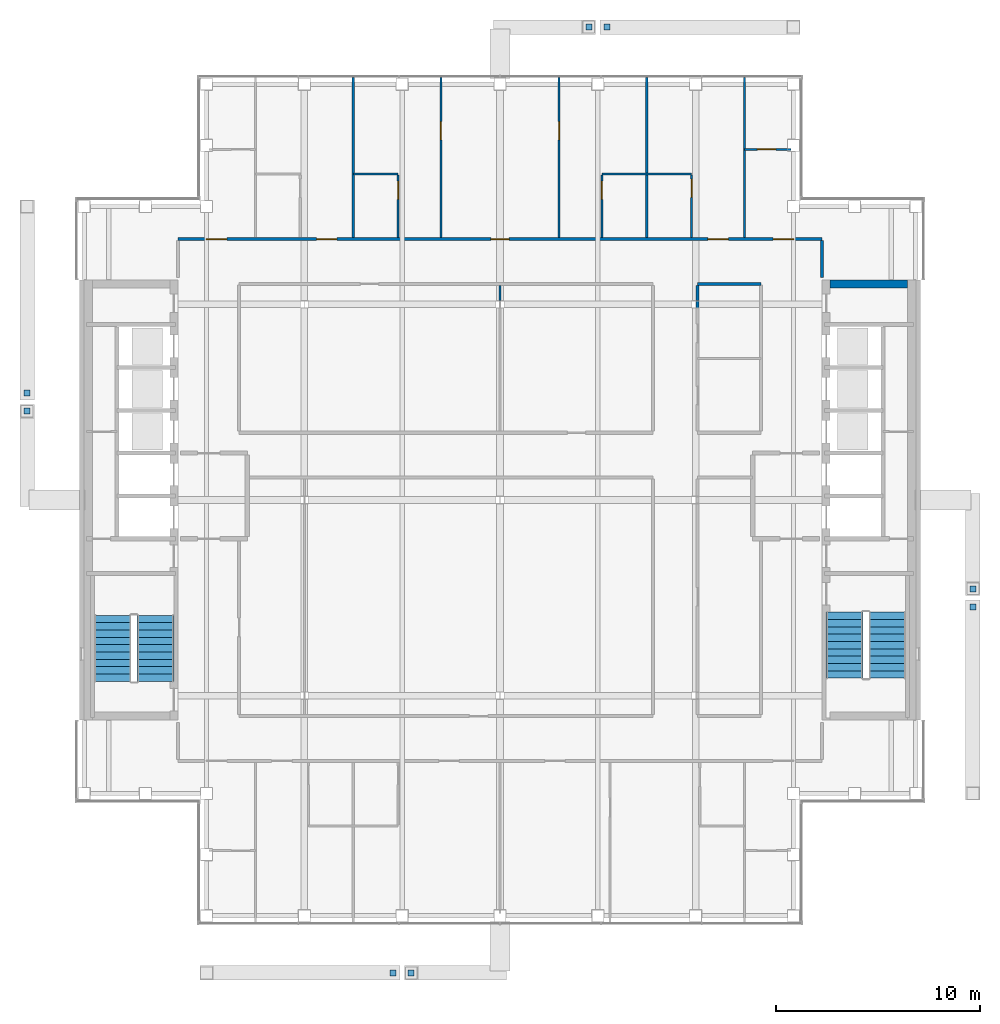
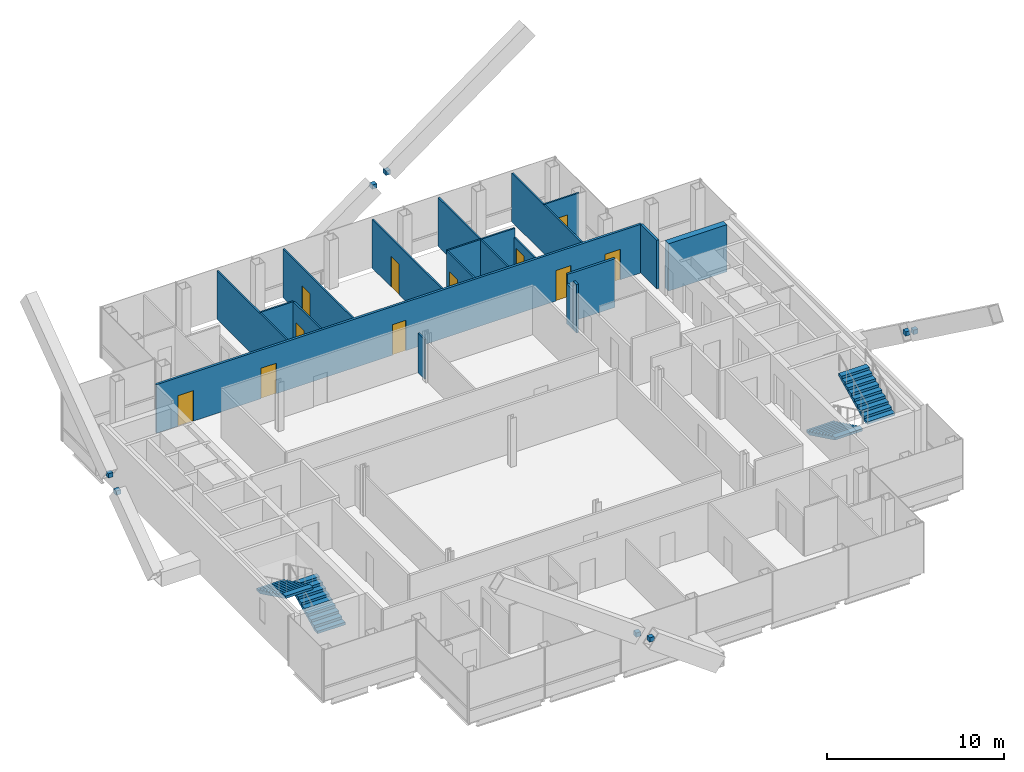
# One storey, part 13 of 15: 19 walls, 11 doors, 8 discrete accessories, 4 stair flights, 11 openings, 2 elements without a shape of their own.
"""IFC4 building model written with IfcOpenShell, lengths in metres."""

from ifc_helpers import new_model, si_unit, direction, frame, frame_2d, origin, origin_2d, place, context, subcontext, project, spatial, polyline, rectangle, outline, extrude, material, layer, layer_set, type_object, element, fill, aggregate, save


model = new_model("IFC4")

# Units and contexts
model_context = context("Model", 3, precision=1e-05, world=origin(), true_north=direction((0.0, 1.0)))
body_context = subcontext(model_context, "Body", "Model", "MODEL_VIEW")
ifc_project = project(units=[si_unit("LENGTHUNIT", "METRE"), si_unit("AREAUNIT", "SQUARE_METRE"), si_unit("VOLUMEUNIT", "CUBIC_METRE"), si_unit("PLANEANGLEUNIT", "RADIAN"), si_unit("MASSUNIT", "GRAM", prefix="KILO")], contexts=[model_context])

# Site, building, storey
site_placement = place(None, origin())
site = spatial("IfcSite", under=ifc_project, at=site_placement, CompositionType="ELEMENT")
building_placement = place(site_placement, origin())
building = spatial("IfcBuilding", under=site, at=building_placement, Name="Cobrizo Arcos Hotel Tower", CompositionType="ELEMENT")
storey_placement = place(building_placement, frame((0.0, 0.0, 244.5)))
storey = spatial("IfcBuildingStorey", under=building, at=storey_placement, Name="L64", CompositionType="ELEMENT", Elevation=244.5)

# Wall
ifc_material_1 = material(Name="Gypsum board partition")
ifc_layer_1 = layer(ifc_material_1, 0.14990234375)
ifc_layer_set_1 = layer_set([ifc_layer_1], Name="Corridor wall EI 60 150")
wall_type_1 = type_object("IfcWallType", Name="Corridor wall EI 60 150", PredefinedType="PARTITIONING", material=ifc_layer_set_1)
wall_1_placement = place(storey_placement, frame((9.699951171875, 10.60009765625, 0.0), z_axis=(0.0, 0.0, 1.0), x_axis=(1.0, 0.0, 0.0)))
element("IfcWall", 1, at=wall_1_placement, inside=storey, type_object=wall_type_1, Name="Partition 034", PredefinedType="PARTITIONING", context=body_context, shape_type="SweptSolid", body=[
    extrude(rectangle(XDim=3.10009765625, YDim=0.14990234375, at=frame_2d((1.550048828125, 0.0))), origin(), (0.0, 0.0, 1.0), 3.35009765625),
])

# Wall, openings, doors
wall_2_placement = place(storey_placement, frame((-15.800048828125, 12.800048828125, 0.0), z_axis=(0.0, 0.0, 1.0), x_axis=(1.0, 0.0, 0.0)))
wall_2 = element("IfcWall", 2, at=wall_2_placement, inside=storey, type_object=wall_type_1, Name="Partition 035", PredefinedType="PARTITIONING", context=body_context, shape_type="SweptSolid", body=[
    extrude(rectangle(XDim=31.60009765625, YDim=0.14990234375, at=frame_2d((15.800048828125, 0.0))), origin(), (0.0, 0.0, 1.0), 3.35009765625),
])
opening_1_placement = place(wall_2_placement, frame((6.800048828125, 0.0, 0.0)))
opening_1 = element("IfcOpeningElement", 3, at=opening_1_placement, cuts=wall_2, Name="Opening GD-01", PredefinedType="OPENING", context=body_context, shape_type="SweptSolid", body=[
    extrude(rectangle(XDim=1.0, YDim=2.10009765625, at=frame_2d((0.5, 1.050048828125))), frame((0.0, 0.0869140625, 0.0), z_axis=(0.0, -1.0, 0.0), x_axis=(1.0, 0.0, 0.0)), (0.0, 0.0, 1.0), 0.173828125),
])
opening_2_placement = place(wall_2_placement, frame((15.35009765625, 0.0, 0.0)))
opening_2 = element("IfcOpeningElement", 4, at=opening_2_placement, cuts=wall_2, Name="Opening RD-07", PredefinedType="OPENING", context=body_context, shape_type="SweptSolid", body=[
    extrude(rectangle(XDim=0.89990234375, YDim=2.10009765625, at=frame_2d((0.449951171875, 1.050048828125))), frame((0.0, 0.0869140625, 0.0), z_axis=(0.0, -1.0, 0.0), x_axis=(1.0, 0.0, 0.0)), (0.0, 0.0, 1.0), 0.173828125),
])
opening_3_placement = place(wall_2_placement, frame((26.0, 0.0, 0.0)))
opening_3 = element("IfcOpeningElement", 5, at=opening_3_placement, cuts=wall_2, Name="Opening GD-02", PredefinedType="OPENING", context=body_context, shape_type="SweptSolid", body=[
    extrude(rectangle(XDim=1.0, YDim=2.10009765625, at=frame_2d((0.5, 1.050048828125))), frame((0.0, 0.0869140625, 0.0), z_axis=(0.0, -1.0, 0.0), x_axis=(1.0, 0.0, 0.0)), (0.0, 0.0, 1.0), 0.173828125),
])
opening_4_placement = place(wall_2_placement, frame((1.39990234375, 0.0, 0.0)))
opening_4 = element("IfcOpeningElement", 6, at=opening_4_placement, cuts=wall_2, Name="Opening GD-07", PredefinedType="OPENING", context=body_context, shape_type="SweptSolid", body=[
    extrude(rectangle(XDim=1.0, YDim=2.10009765625, at=frame_2d((0.5, 1.050048828125))), frame((0.0, 0.0869140625, 0.0), z_axis=(0.0, -1.0, 0.0), x_axis=(1.0, 0.0, 0.0)), (0.0, 0.0, 1.0), 0.173828125),
])
opening_5_placement = place(wall_2_placement, frame((29.199951171875, 0.0, 0.0)))
opening_5 = element("IfcOpeningElement", 7, at=opening_5_placement, cuts=wall_2, Name="Opening GD-09", PredefinedType="OPENING", context=body_context, shape_type="SweptSolid", body=[
    extrude(rectangle(XDim=1.0, YDim=2.10009765625, at=frame_2d((0.5, 1.050048828125))), frame((0.0, 0.0869140625, 0.0), z_axis=(0.0, -1.0, 0.0), x_axis=(1.0, 0.0, 0.0)), (0.0, 0.0, 1.0), 0.173828125),
])
ifc_material_2 = material(Name="Timber door leaf", Category="wood")
door_type_1 = type_object("IfcDoorType", Name="Guest room door FD30S 1000x2100", OperationType="SINGLE_SWING_LEFT", PredefinedType="DOOR", material=ifc_material_2)
door_1_placement = place(opening_1_placement, origin())
door_1 = element("IfcDoor", 8, at=door_1_placement, inside=storey, type_object=door_type_1, Name="Door GD-01", OperationType="SINGLE_SWING_LEFT", OverallHeight=2.10009765625, OverallWidth=1.0, PredefinedType="DOOR", context=body_context, shape_type="SweptSolid", body=[
    extrude(rectangle(XDim=1.0, YDim=2.10009765625, at=frame_2d((0.5, 1.050048828125))), frame((0.0, 0.02490234375, 0.0), z_axis=(0.0, -1.0, 0.0), x_axis=(1.0, 0.0, 0.0)), (0.0, 0.0, 1.0), 0.050048828125),
])
fill(opening_1, door_1)
door_2_placement = place(opening_3_placement, origin())
door_2 = element("IfcDoor", 9, at=door_2_placement, inside=storey, type_object=door_type_1, Name="Door GD-02", OperationType="SINGLE_SWING_LEFT", OverallHeight=2.10009765625, OverallWidth=1.0, PredefinedType="DOOR", context=body_context, shape_type="SweptSolid", body=[
    extrude(rectangle(XDim=1.0, YDim=2.10009765625, at=frame_2d((0.5, 1.050048828125))), frame((0.0, 0.02490234375, 0.0), z_axis=(0.0, -1.0, 0.0), x_axis=(1.0, 0.0, 0.0)), (0.0, 0.0, 1.0), 0.050048828125),
])
fill(opening_3, door_2)
door_3_placement = place(opening_4_placement, origin())
door_3 = element("IfcDoor", 10, at=door_3_placement, inside=storey, type_object=door_type_1, Name="Door GD-07", OperationType="SINGLE_SWING_RIGHT", OverallHeight=2.10009765625, OverallWidth=1.0, PredefinedType="DOOR", context=body_context, shape_type="SweptSolid", body=[
    extrude(rectangle(XDim=1.0, YDim=2.10009765625, at=frame_2d((0.5, 1.050048828125))), frame((0.0, 0.02490234375, 0.0), z_axis=(0.0, -1.0, 0.0), x_axis=(1.0, 0.0, 0.0)), (0.0, 0.0, 1.0), 0.050048828125),
])
fill(opening_4, door_3)
door_4_placement = place(opening_5_placement, origin())
door_4 = element("IfcDoor", 11, at=door_4_placement, inside=storey, type_object=door_type_1, Name="Door GD-09", OperationType="SINGLE_SWING_LEFT", OverallHeight=2.10009765625, OverallWidth=1.0, PredefinedType="DOOR", context=body_context, shape_type="SweptSolid", body=[
    extrude(rectangle(XDim=1.0, YDim=2.10009765625, at=frame_2d((0.5, 1.050048828125))), frame((0.0, 0.02490234375, 0.0), z_axis=(0.0, -1.0, 0.0), x_axis=(1.0, 0.0, 0.0)), (0.0, 0.0, 1.0), 0.050048828125),
])
fill(opening_5, door_4)
door_type_2 = type_object("IfcDoorType", Name="Room door FD30 900x2100", OperationType="SINGLE_SWING_LEFT", PredefinedType="DOOR", material=ifc_material_2)
door_5_placement = place(opening_2_placement, origin())
door_5 = element("IfcDoor", 12, at=door_5_placement, inside=storey, type_object=door_type_2, Name="Door RD-07", OperationType="SINGLE_SWING_RIGHT", OverallHeight=2.10009765625, OverallWidth=0.89990234375, PredefinedType="DOOR", context=body_context, shape_type="SweptSolid", body=[
    extrude(rectangle(XDim=0.89990234375, YDim=2.10009765625, at=frame_2d((0.449951171875, 1.050048828125))), frame((0.0, 0.02490234375, 0.0), z_axis=(0.0, -1.0, 0.0), x_axis=(1.0, 0.0, 0.0)), (0.0, 0.0, 1.0), 0.050048828125),
])
fill(opening_2, door_5)

# Walls
wall_3_placement = place(storey_placement, frame((9.699951171875, 9.416015625, 0.0), z_axis=(0.0, 0.0, 1.0), x_axis=(0.0, 1.0, 0.0)))
element("IfcWall", 13, at=wall_3_placement, inside=storey, type_object=wall_type_1, Name="Partition 081", PredefinedType="PARTITIONING", context=body_context, shape_type="SweptSolid", body=[
    extrude(rectangle(XDim=0.367919921875, YDim=0.14990234375, at=frame_2d((0.18408203125, 0.0))), origin(), (0.0, 0.0, 1.0), 3.35009765625),
])
wall_4_placement = place(storey_placement, frame((9.699951171875, 9.783935546875, 0.0), z_axis=(0.0, 0.0, 1.0), x_axis=(0.0, 1.0, 0.0)))
element("IfcWall", 14, at=wall_4_placement, inside=storey, type_object=wall_type_1, Name="Partition 082", PredefinedType="PARTITIONING", context=body_context, shape_type="SweptSolid", body=[
    extrude(rectangle(XDim=0.740966796875, YDim=0.14990234375, at=frame_2d((0.37060546875, 0.0))), origin(), (0.0, 0.0, 1.0), 2.72802734375),
])
wall_5_placement = place(storey_placement, frame((15.800048828125, 10.919921875, 0.0), z_axis=(0.0, 0.0, 1.0), x_axis=(0.0, 1.0, 0.0)))
element("IfcWall", 15, at=wall_5_placement, inside=storey, type_object=wall_type_1, Name="Partition 090", PredefinedType="PARTITIONING", context=body_context, shape_type="SweptSolid", body=[
    extrude(rectangle(XDim=1.80517578125, YDim=0.14990234375, at=frame_2d((0.902587890625, 0.0))), origin(), (0.0, 0.0, 1.0), 3.35009765625),
])
ifc_layer_2 = layer(ifc_material_1, 0.10009765625)
ifc_layer_set_2 = layer_set([ifc_layer_2], Name="Partition EI 30 100")
wall_type_2 = type_object("IfcWallType", Name="Partition EI 30 100", PredefinedType="PARTITIONING", material=ifc_layer_set_2)
wall_6_placement = place(storey_placement, frame((-7.199951171875, 16.0, 0.0), z_axis=(0.0, 0.0, 1.0), x_axis=(1.0, 0.0, 0.0)))
element("IfcWall", 16, at=wall_6_placement, inside=storey, type_object=wall_type_2, Name="Partition 037", PredefinedType="PARTITIONING", context=body_context, shape_type="SweptSolid", body=[
    extrude(rectangle(XDim=2.199951171875, YDim=0.10009765625, at=frame_2d((1.10009765625, 0.0))), origin(), (0.0, 0.0, 1.0), 3.35009765625),
])
wall_7_placement = place(storey_placement, frame((5.0, 16.0, 0.0), z_axis=(0.0, 0.0, 1.0), x_axis=(1.0, 0.0, 0.0)))
element("IfcWall", 17, at=wall_7_placement, inside=storey, type_object=wall_type_2, Name="Partition 038", PredefinedType="PARTITIONING", context=body_context, shape_type="SweptSolid", body=[
    extrude(rectangle(XDim=4.39990234375, YDim=0.10009765625, at=frame_2d((2.199951171875, 0.0))), origin(), (0.0, 0.0, 1.0), 3.35009765625),
])

# Wall, opening, door
wall_8_placement = place(storey_placement, frame((12.0, 17.199951171875, 0.0), z_axis=(0.0, 0.0, 1.0), x_axis=(1.0, 0.0, 0.0)))
wall_8 = element("IfcWall", 18, at=wall_8_placement, inside=storey, type_object=wall_type_2, Name="Partition 040", PredefinedType="PARTITIONING", context=body_context, shape_type="SweptSolid", body=[
    extrude(rectangle(XDim=2.280029296875, YDim=0.10009765625, at=frame_2d((1.14013671875, 0.0))), origin(), (0.0, 0.0, 1.0), 3.35009765625),
])
opening_6_placement = place(wall_8_placement, frame((0.6298828125, 0.0, 0.0)))
opening_6 = element("IfcOpeningElement", 19, at=opening_6_placement, cuts=wall_8, Name="Opening ED-11", PredefinedType="OPENING", context=body_context, shape_type="SweptSolid", body=[
    extrude(rectangle(XDim=0.89990234375, YDim=2.10009765625, at=frame_2d((0.449951171875, 1.050048828125))), frame((0.0, 0.06201171875, 0.0), z_axis=(0.0, -1.0, 0.0), x_axis=(1.0, 0.0, 0.0)), (0.0, 0.0, 1.0), 0.1240234375),
])
door_type_3 = type_object("IfcDoorType", Name="En-suite door 900x2100", OperationType="SINGLE_SWING_LEFT", PredefinedType="DOOR", material=ifc_material_2)
door_6_placement = place(opening_6_placement, origin())
door_6 = element("IfcDoor", 20, at=door_6_placement, inside=storey, type_object=door_type_3, Name="Door ED-11", OperationType="SINGLE_SWING_LEFT", OverallHeight=2.10009765625, OverallWidth=0.89990234375, PredefinedType="DOOR", context=body_context, shape_type="SweptSolid", body=[
    extrude(rectangle(XDim=0.89990234375, YDim=2.10009765625, at=frame_2d((0.449951171875, 1.050048828125))), frame((0.0, 0.02490234375, 0.0), z_axis=(0.0, -1.0, 0.0), x_axis=(1.0, 0.0, 0.0)), (0.0, 0.0, 1.0), 0.050048828125),
])
fill(opening_6, door_6)

# Wall
wall_9_placement = place(storey_placement, frame((-7.199951171875, 12.875, 0.0), z_axis=(0.0, 0.0, 1.0), x_axis=(0.0, 1.0, 0.0)))
element("IfcWall", 21, at=wall_9_placement, inside=storey, type_object=wall_type_2, Name="Partition 059", PredefinedType="PARTITIONING", context=body_context, shape_type="SweptSolid", body=[
    extrude(rectangle(XDim=7.85498046875, YDim=0.10009765625, at=frame_2d((3.927490234375, 0.0))), origin(), (0.0, 0.0, 1.0), 3.35009765625),
])

# Wall, opening, door
wall_10_placement = place(storey_placement, frame((-5.0, 12.875, 0.0), z_axis=(0.0, 0.0, 1.0), x_axis=(0.0, 1.0, 0.0)))
wall_10 = element("IfcWall", 22, at=wall_10_placement, inside=storey, type_object=wall_type_2, Name="Partition 061", PredefinedType="PARTITIONING", context=body_context, shape_type="SweptSolid", body=[
    extrude(rectangle(XDim=3.074951171875, YDim=0.10009765625, at=frame_2d((1.53759765625, 0.0))), origin(), (0.0, 0.0, 1.0), 3.35009765625),
])
opening_7_placement = place(wall_10_placement, frame((1.875, 0.0, 0.0)))
opening_7 = element("IfcOpeningElement", 23, at=opening_7_placement, cuts=wall_10, Name="Opening ED-02", PredefinedType="OPENING", context=body_context, shape_type="SweptSolid", body=[
    extrude(rectangle(XDim=0.89990234375, YDim=2.10009765625, at=frame_2d((0.449951171875, 1.050048828125))), frame((0.0, 0.06201171875, 0.0), z_axis=(0.0, -1.0, 0.0), x_axis=(1.0, 0.0, 0.0)), (0.0, 0.0, 1.0), 0.1240234375),
])
door_7_placement = place(opening_7_placement, origin())
door_7 = element("IfcDoor", 24, at=door_7_placement, inside=storey, type_object=door_type_3, Name="Door ED-02", OperationType="SINGLE_SWING_RIGHT", OverallHeight=2.10009765625, OverallWidth=0.89990234375, PredefinedType="DOOR", context=body_context, shape_type="SweptSolid", body=[
    extrude(rectangle(XDim=0.89990234375, YDim=2.10009765625, at=frame_2d((0.449951171875, 1.050048828125))), frame((0.0, 0.02490234375, 0.0), z_axis=(0.0, -1.0, 0.0), x_axis=(1.0, 0.0, 0.0)), (0.0, 0.0, 1.0), 0.050048828125),
])
fill(opening_7, door_7)

wall_11_placement = place(storey_placement, frame((-2.89990234375, 12.875, 0.0), z_axis=(0.0, 0.0, 1.0), x_axis=(0.0, 1.0, 0.0)))
wall_11 = element("IfcWall", 25, at=wall_11_placement, inside=storey, type_object=wall_type_2, Name="Partition 062", PredefinedType="PARTITIONING", context=body_context, shape_type="SweptSolid", body=[
    extrude(rectangle(XDim=7.85498046875, YDim=0.10009765625, at=frame_2d((3.927490234375, 0.0))), origin(), (0.0, 0.0, 1.0), 3.35009765625),
])
opening_8_placement = place(wall_11_placement, frame((4.794921875, 0.0, 0.0)))
opening_8 = element("IfcOpeningElement", 26, at=opening_8_placement, cuts=wall_11, Name="Opening RD-08", PredefinedType="OPENING", context=body_context, shape_type="SweptSolid", body=[
    extrude(rectangle(XDim=0.89990234375, YDim=2.10009765625, at=frame_2d((0.449951171875, 1.050048828125))), frame((0.0, 0.06201171875, 0.0), z_axis=(0.0, -1.0, 0.0), x_axis=(1.0, 0.0, 0.0)), (0.0, 0.0, 1.0), 0.1240234375),
])
door_8_placement = place(opening_8_placement, origin())
door_8 = element("IfcDoor", 27, at=door_8_placement, inside=storey, type_object=door_type_2, Name="Door RD-08", OperationType="SINGLE_SWING_LEFT", OverallHeight=2.10009765625, OverallWidth=0.89990234375, PredefinedType="DOOR", context=body_context, shape_type="SweptSolid", body=[
    extrude(rectangle(XDim=0.89990234375, YDim=2.10009765625, at=frame_2d((0.449951171875, 1.050048828125))), frame((0.0, 0.02490234375, 0.0), z_axis=(0.0, -1.0, 0.0), x_axis=(1.0, 0.0, 0.0)), (0.0, 0.0, 1.0), 0.050048828125),
])
fill(opening_8, door_8)

# Wall
wall_12_placement = place(storey_placement, frame((0.0, 9.783935546875, 0.0), z_axis=(0.0, 0.0, 1.0), x_axis=(0.0, 1.0, 0.0)))
element("IfcWall", 28, at=wall_12_placement, inside=storey, type_object=wall_type_2, Name="Partition 066", PredefinedType="PARTITIONING", context=body_context, shape_type="SweptSolid", body=[
    extrude(rectangle(XDim=0.740966796875, YDim=0.10009765625, at=frame_2d((0.37060546875, 0.0))), origin(), (0.0, 0.0, 1.0), 2.72802734375),
])

# Wall, opening, door
wall_13_placement = place(storey_placement, frame((2.89990234375, 12.875, 0.0), z_axis=(0.0, 0.0, 1.0), x_axis=(0.0, 1.0, 0.0)))
wall_13 = element("IfcWall", 29, at=wall_13_placement, inside=storey, type_object=wall_type_2, Name="Partition 067", PredefinedType="PARTITIONING", context=body_context, shape_type="SweptSolid", body=[
    extrude(rectangle(XDim=7.85498046875, YDim=0.10009765625, at=frame_2d((3.927490234375, 0.0))), origin(), (0.0, 0.0, 1.0), 3.35009765625),
])
opening_9_placement = place(wall_13_placement, frame((4.794921875, 0.0, 0.0)))
opening_9 = element("IfcOpeningElement", 30, at=opening_9_placement, cuts=wall_13, Name="Opening RD-09", PredefinedType="OPENING", context=body_context, shape_type="SweptSolid", body=[
    extrude(rectangle(XDim=0.89990234375, YDim=2.10009765625, at=frame_2d((0.449951171875, 1.050048828125))), frame((0.0, 0.06201171875, 0.0), z_axis=(0.0, -1.0, 0.0), x_axis=(1.0, 0.0, 0.0)), (0.0, 0.0, 1.0), 0.1240234375),
])
door_9_placement = place(opening_9_placement, origin())
door_9 = element("IfcDoor", 31, at=door_9_placement, inside=storey, type_object=door_type_2, Name="Door RD-09", OperationType="SINGLE_SWING_LEFT", OverallHeight=2.10009765625, OverallWidth=0.89990234375, PredefinedType="DOOR", context=body_context, shape_type="SweptSolid", body=[
    extrude(rectangle(XDim=0.89990234375, YDim=2.10009765625, at=frame_2d((0.449951171875, 1.050048828125))), frame((0.0, 0.02490234375, 0.0), z_axis=(0.0, -1.0, 0.0), x_axis=(1.0, 0.0, 0.0)), (0.0, 0.0, 1.0), 0.050048828125),
])
fill(opening_9, door_9)

wall_14_placement = place(storey_placement, frame((5.0, 12.875, 0.0), z_axis=(0.0, 0.0, 1.0), x_axis=(0.0, 1.0, 0.0)))
wall_14 = element("IfcWall", 32, at=wall_14_placement, inside=storey, type_object=wall_type_2, Name="Partition 068", PredefinedType="PARTITIONING", context=body_context, shape_type="SweptSolid", body=[
    extrude(rectangle(XDim=3.074951171875, YDim=0.10009765625, at=frame_2d((1.53759765625, 0.0))), origin(), (0.0, 0.0, 1.0), 3.35009765625),
])
opening_10_placement = place(wall_14_placement, frame((1.875, 0.0, 0.0)))
opening_10 = element("IfcOpeningElement", 33, at=opening_10_placement, cuts=wall_14, Name="Opening ED-03", PredefinedType="OPENING", context=body_context, shape_type="SweptSolid", body=[
    extrude(rectangle(XDim=0.89990234375, YDim=2.10009765625, at=frame_2d((0.449951171875, 1.050048828125))), frame((0.0, 0.06201171875, 0.0), z_axis=(0.0, -1.0, 0.0), x_axis=(1.0, 0.0, 0.0)), (0.0, 0.0, 1.0), 0.1240234375),
])
door_10_placement = place(opening_10_placement, origin())
door_10 = element("IfcDoor", 34, at=door_10_placement, inside=storey, type_object=door_type_3, Name="Door ED-03", OperationType="SINGLE_SWING_RIGHT", OverallHeight=2.10009765625, OverallWidth=0.89990234375, PredefinedType="DOOR", context=body_context, shape_type="SweptSolid", body=[
    extrude(rectangle(XDim=0.89990234375, YDim=2.10009765625, at=frame_2d((0.449951171875, 1.050048828125))), frame((0.0, 0.02490234375, 0.0), z_axis=(0.0, -1.0, 0.0), x_axis=(1.0, 0.0, 0.0)), (0.0, 0.0, 1.0), 0.050048828125),
])
fill(opening_10, door_10)

# Walls
wall_15_placement = place(storey_placement, frame((7.199951171875, 12.875, 0.0), z_axis=(0.0, 0.0, 1.0), x_axis=(0.0, 1.0, 0.0)))
element("IfcWall", 35, at=wall_15_placement, inside=storey, type_object=wall_type_2, Name="Partition 070", PredefinedType="PARTITIONING", context=body_context, shape_type="SweptSolid", body=[
    extrude(rectangle(XDim=3.074951171875, YDim=0.10009765625, at=frame_2d((1.53759765625, 0.0))), origin(), (0.0, 0.0, 1.0), 3.35009765625),
])
wall_16_placement = place(storey_placement, frame((7.199951171875, 16.050048828125, 0.0), z_axis=(0.0, 0.0, 1.0), x_axis=(0.0, 1.0, 0.0)))
element("IfcWall", 36, at=wall_16_placement, inside=storey, type_object=wall_type_2, Name="Partition 071", PredefinedType="PARTITIONING", context=body_context, shape_type="SweptSolid", body=[
    extrude(rectangle(XDim=4.679931640625, YDim=0.10009765625, at=frame_2d((2.33984375, 0.0))), origin(), (0.0, 0.0, 1.0), 3.35009765625),
])

# Wall, opening, door
wall_17_placement = place(storey_placement, frame((9.39990234375, 12.875, 0.0), z_axis=(0.0, 0.0, 1.0), x_axis=(0.0, 1.0, 0.0)))
wall_17 = element("IfcWall", 37, at=wall_17_placement, inside=storey, type_object=wall_type_2, Name="Partition 074", PredefinedType="PARTITIONING", context=body_context, shape_type="SweptSolid", body=[
    extrude(rectangle(XDim=3.074951171875, YDim=0.10009765625, at=frame_2d((1.53759765625, 0.0))), origin(), (0.0, 0.0, 1.0), 2.72802734375),
])
opening_11_placement = place(wall_17_placement, frame((1.970947265625, 0.0, 0.0)))
opening_11 = element("IfcOpeningElement", 38, at=opening_11_placement, cuts=wall_17, Name="Opening ED-04", PredefinedType="OPENING", context=body_context, shape_type="SweptSolid", body=[
    extrude(rectangle(XDim=0.89990234375, YDim=2.10009765625, at=frame_2d((0.449951171875, 1.050048828125))), frame((0.0, 0.06201171875, 0.0), z_axis=(0.0, -1.0, 0.0), x_axis=(1.0, 0.0, 0.0)), (0.0, 0.0, 1.0), 0.1240234375),
])
door_11_placement = place(opening_11_placement, origin())
door_11 = element("IfcDoor", 39, at=door_11_placement, inside=storey, type_object=door_type_3, Name="Door ED-04", OperationType="SINGLE_SWING_LEFT", OverallHeight=2.10009765625, OverallWidth=0.89990234375, PredefinedType="DOOR", context=body_context, shape_type="SweptSolid", body=[
    extrude(rectangle(XDim=0.89990234375, YDim=2.10009765625, at=frame_2d((0.449951171875, 1.050048828125))), frame((0.0, 0.02490234375, 0.0), z_axis=(0.0, -1.0, 0.0), x_axis=(1.0, 0.0, 0.0)), (0.0, 0.0, 1.0), 0.050048828125),
])
fill(opening_11, door_11)

# Walls
wall_18_placement = place(storey_placement, frame((12.0, 12.875, 0.0), z_axis=(0.0, 0.0, 1.0), x_axis=(0.0, 1.0, 0.0)))
element("IfcWall", 40, at=wall_18_placement, inside=storey, type_object=wall_type_2, Name="Partition 085", PredefinedType="PARTITIONING", context=body_context, shape_type="SweptSolid", body=[
    extrude(rectangle(XDim=7.85498046875, YDim=0.10009765625, at=frame_2d((3.927490234375, 0.0))), origin(), (0.0, 0.0, 1.0), 3.35009765625),
])
ifc_material_3 = material(Name="Concrete f'c 40 MPa", Category="concrete")
ifc_layer_3 = layer(ifc_material_3, 0.39990234375)
ifc_layer_set_3 = layer_set([ifc_layer_3], Name="RC core wall 400 f'c 40")
wall_type_3 = type_object("IfcWallType", Name="RC core wall 400 f'c 40", PredefinedType="SHEAR", material=ifc_layer_set_3)
wall_19_placement = place(storey_placement, frame((16.199951171875, 10.60009765625, 0.0), z_axis=(0.0, 0.0, 1.0), x_axis=(1.0, 0.0, 0.0)))
element("IfcWall", 41, at=wall_19_placement, inside=storey, type_object=wall_type_3, Name="Core wall CW4, east core, north end, L64", PredefinedType="SHEAR", context=body_context, shape_type="SweptSolid", body=[
    extrude(rectangle(XDim=3.800048828125, YDim=0.39990234375, at=frame_2d((1.89990234375, 0.0))), origin(), (0.0, 0.0, 1.0), 3.25),
])

# Stair, stair flights
stair_type = type_object("IfcStairType", Name="Exit stair", PredefinedType="HALF_TURN_STAIR", material=ifc_material_3)
stair_1_placement = place(storey_placement, origin())
stair_1 = element("IfcStair", 42, at=stair_1_placement, inside=storey, type_object=stair_type, Name="L64 Exit stair ST-W", PredefinedType="HALF_TURN_STAIR")
stair_flight_type = type_object("IfcStairFlightType", Name="Exit stair flight", PredefinedType="STRAIGHT", material=ifc_material_3)
stair_flight_1_placement = place(storey_placement, frame((-16.89990234375, -8.89990234375, 0.0), z_axis=(0.0, 0.0, 1.0), x_axis=(0.0, 1.0, 0.0)))
stair_flight_1 = element("IfcStairFlight", 43, at=stair_flight_1_placement, type_object=stair_flight_type, Name="ST-W flight 1", NumberOfRisers=10, NumberOfTreads=9, PredefinedType="STRAIGHT", RiserHeight=0.175, TreadLength=0.36, context=body_context, shape_type="SweptSolid", body=[
    extrude(outline(polyline([(0.0, 0.0), (0.0, 0.175048828125), (0.360107421875, 0.175048828125), (0.360107421875, 0.35009765625), (0.719970703125, 0.35009765625), (0.719970703125, 0.52490234375), (1.080078125, 0.52490234375), (1.080078125, 0.699951171875), (1.43994140625, 0.699951171875), (1.43994140625, 0.875), (1.800048828125, 0.875), (1.800048828125, 1.050048828125), (2.159912109375, 1.050048828125), (2.159912109375, 1.22509765625), (2.52001953125, 1.22509765625), (2.52001953125, 1.39990234375), (2.8798828125, 1.39990234375), (2.8798828125, 1.574951171875), (3.239990234375, 1.574951171875), (3.239990234375, 1.75), (3.239990234375, 1.408203125), (0.3427734375, 0.0), (0.0, 0.0)])), frame((0.0, 0.89990234375, 0.0), z_axis=(0.0, -1.0, 0.0), x_axis=(1.0, 0.0, 0.0)), (0.0, 0.0, 1.0), 1.800048828125),
])
stair_flight_2_placement = place(storey_placement, frame((-19.0, -5.659912109375, 1.75), z_axis=(0.0, 0.0, 1.0), x_axis=(0.0, -1.0, 0.0)))
stair_flight_2 = element("IfcStairFlight", 44, at=stair_flight_2_placement, type_object=stair_flight_type, Name="ST-W flight 2", NumberOfRisers=10, NumberOfTreads=9, PredefinedType="STRAIGHT", RiserHeight=0.175, TreadLength=0.36, context=body_context, shape_type="SweptSolid", body=[
    extrude(outline(polyline([(0.0, 0.0), (0.0, 0.175048828125), (0.360107421875, 0.175048828125), (0.360107421875, 0.35009765625), (0.719970703125, 0.35009765625), (0.719970703125, 0.52490234375), (1.080078125, 0.52490234375), (1.080078125, 0.699951171875), (1.43994140625, 0.699951171875), (1.43994140625, 0.875), (1.800048828125, 0.875), (1.800048828125, 1.050048828125), (2.159912109375, 1.050048828125), (2.159912109375, 1.22509765625), (2.52001953125, 1.22509765625), (2.52001953125, 1.39990234375), (2.8798828125, 1.39990234375), (2.8798828125, 1.574951171875), (3.239990234375, 1.574951171875), (3.239990234375, 1.75), (3.239990234375, 1.408203125), (0.3427734375, 0.0), (0.0, 0.0)])), frame((0.0, 0.89990234375, 0.0), z_axis=(0.0, -1.0, 0.0), x_axis=(1.0, 0.0, 0.0)), (0.0, 0.0, 1.0), 1.800048828125),
])
aggregate(stair_1, [stair_flight_1, stair_flight_2])

stair_2_placement = place(storey_placement, origin())
stair_2 = element("IfcStair", 45, at=stair_2_placement, inside=storey, type_object=stair_type, Name="L64 Exit stair ST-E", PredefinedType="HALF_TURN_STAIR")
stair_flight_3_placement = place(storey_placement, frame((16.89990234375, -5.5, 0.0), z_axis=(0.0, 0.0, 1.0), x_axis=(0.0, -1.0, 0.0)))
stair_flight_3 = element("IfcStairFlight", 46, at=stair_flight_3_placement, type_object=stair_flight_type, Name="ST-E flight 1", NumberOfRisers=10, NumberOfTreads=9, PredefinedType="STRAIGHT", RiserHeight=0.175, TreadLength=0.36, context=body_context, shape_type="SweptSolid", body=[
    extrude(outline(polyline([(0.0, 0.0), (0.0, 0.175048828125), (0.360107421875, 0.175048828125), (0.360107421875, 0.35009765625), (0.719970703125, 0.35009765625), (0.719970703125, 0.52490234375), (1.080078125, 0.52490234375), (1.080078125, 0.699951171875), (1.43994140625, 0.699951171875), (1.43994140625, 0.875), (1.800048828125, 0.875), (1.800048828125, 1.050048828125), (2.159912109375, 1.050048828125), (2.159912109375, 1.22509765625), (2.52001953125, 1.22509765625), (2.52001953125, 1.39990234375), (2.8798828125, 1.39990234375), (2.8798828125, 1.574951171875), (3.239990234375, 1.574951171875), (3.239990234375, 1.75), (3.239990234375, 1.408203125), (0.3427734375, 0.0), (0.0, 0.0)])), frame((0.0, 0.89990234375, 0.0), z_axis=(0.0, -1.0, 0.0), x_axis=(1.0, 0.0, 0.0)), (0.0, 0.0, 1.0), 1.800048828125),
])
stair_flight_4_placement = place(storey_placement, frame((19.0, -8.739990234375, 1.75), z_axis=(0.0, 0.0, 1.0), x_axis=(0.0, 1.0, 0.0)))
stair_flight_4 = element("IfcStairFlight", 47, at=stair_flight_4_placement, type_object=stair_flight_type, Name="ST-E flight 2", NumberOfRisers=10, NumberOfTreads=9, PredefinedType="STRAIGHT", RiserHeight=0.175, TreadLength=0.36, context=body_context, shape_type="SweptSolid", body=[
    extrude(outline(polyline([(0.0, 0.0), (0.0, 0.175048828125), (0.360107421875, 0.175048828125), (0.360107421875, 0.35009765625), (0.719970703125, 0.35009765625), (0.719970703125, 0.52490234375), (1.080078125, 0.52490234375), (1.080078125, 0.699951171875), (1.43994140625, 0.699951171875), (1.43994140625, 0.875), (1.800048828125, 0.875), (1.800048828125, 1.050048828125), (2.159912109375, 1.050048828125), (2.159912109375, 1.22509765625), (2.52001953125, 1.22509765625), (2.52001953125, 1.39990234375), (2.8798828125, 1.39990234375), (2.8798828125, 1.574951171875), (3.239990234375, 1.574951171875), (3.239990234375, 1.75), (3.239990234375, 1.408203125), (0.3427734375, 0.0), (0.0, 0.0)])), frame((0.0, 0.89990234375, 0.0), z_axis=(0.0, -1.0, 0.0), x_axis=(1.0, 0.0, 0.0)), (0.0, 0.0, 1.0), 1.800048828125),
])
aggregate(stair_2, [stair_flight_3, stair_flight_4])

# Discrete accessories
ifc_material_4 = material(Name="Steel ASTM A572 Grade 50", Category="steel")
discrete_accessory_type = type_object("IfcDiscreteAccessoryType", Name="GP-5 brace end plate 300x300x300", PredefinedType="BRACKET", material=ifc_material_4)
for number, where, z_axis, x_axis, name in (
    (48, (23.199951171875, -4.357421875, 3.52734375), (0.0, 0.0, 1.0), (1.0, 0.0, 0.0), "Brace end plate"),
    (49, (23.199951171875, -5.242431640625, 4.1728515625), (0.0, 0.0, 1.0), (1.0, 0.0, 0.0), "Brace end plate"),
    (50, (4.357421875, 23.199951171875, 3.52734375), (0.0, 0.0, 1.0), (1.0, 0.0, 0.0), "Brace end plate"),
    (51, (5.242431640625, 23.199951171875, 4.1728515625), (0.0, 0.0, 1.0), (1.0, 0.0, 0.0), "Brace end plate"),
    (52, (-4.357421875, -23.199951171875, 3.52734375), (0.0, 0.0, 1.0), (1.0, 0.0, 0.0), "Brace end plate"),
    (53, (-5.242431640625, -23.199951171875, 4.1728515625), (0.0, 0.0, 1.0), (1.0, 0.0, 0.0), "Brace end plate"),
    (54, (-23.199951171875, 4.357421875, 3.52734375), (0.0, 0.0, 1.0), (1.0, 0.0, 0.0), "Brace end plate"),
    (55, (-23.199951171875, 5.242431640625, 4.1728515625), (0.0, 0.0, 1.0), (1.0, 0.0, 0.0), "Brace end plate"),
):
    element("IfcDiscreteAccessory", number, at=place(storey_placement, frame(where, z_axis=z_axis, x_axis=x_axis)), inside=storey, type_object=discrete_accessory_type, Name=name, PredefinedType="BRACKET", context=body_context, shape_type="SweptSolid", body=[
        extrude(rectangle(XDim=0.300048828125, YDim=0.300048828125, at=origin_2d()), origin(), (0.0, 0.0, 1.0), 0.300048828125),
    ])

save(model, "model.ifc")
